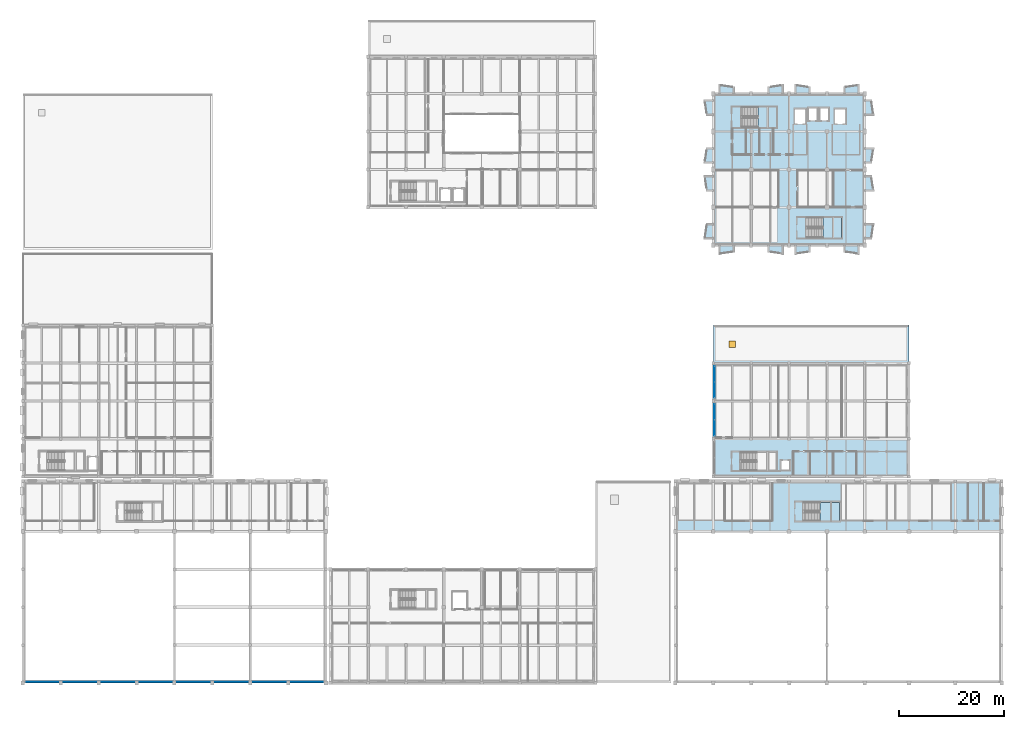
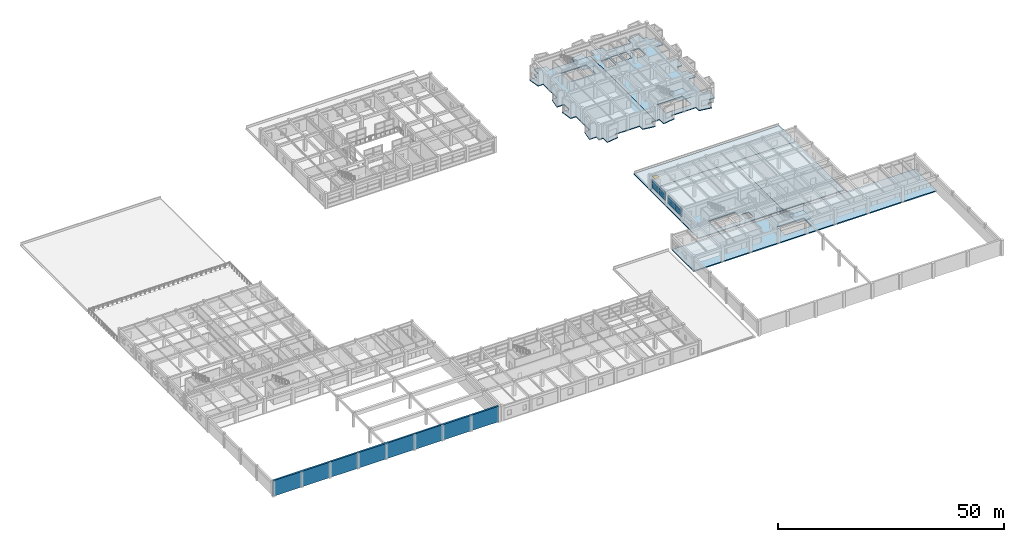
# One storey, part 43 of 67: 9 slabs, 8 plates, 1 wall, 1 window, 1 opening, 5 elements without a shape of their own.
"""IFC4 building model written with IfcOpenShell, lengths in metres."""

from ifc_helpers import new_model, si_unit, direction, frame, frame_2d, origin, origin_2d, place, context, subcontext, project, spatial, polyline, rectangle, outline, extrude, material, layer, layer_set, type_object, element, fill, aggregate, save


model = new_model("IFC4")

# Units and contexts
model_context = context("Model", 3, precision=1e-05, world=origin(), true_north=direction((0.0, 1.0)))
body_context = subcontext(model_context, "Body", "Model", "MODEL_VIEW")
ifc_project = project(units=[si_unit("LENGTHUNIT", "METRE"), si_unit("AREAUNIT", "SQUARE_METRE"), si_unit("VOLUMEUNIT", "CUBIC_METRE"), si_unit("PLANEANGLEUNIT", "RADIAN"), si_unit("MASSUNIT", "GRAM", prefix="KILO")], contexts=[model_context])

# Site, building, storey
site_placement = place(None, origin())
site = spatial("IfcSite", under=ifc_project, at=site_placement, CompositionType="ELEMENT")
building_placement = place(site_placement, origin())
building = spatial("IfcBuilding", under=site, at=building_placement, Name="Bramveld Media Centre", CompositionType="ELEMENT")
storey_placement = place(building_placement, frame((0.0, 0.0, 5.39990234375)))
storey = spatial("IfcBuildingStorey", under=building, at=storey_placement, Name="L01", CompositionType="ELEMENT", Elevation=5.39990234375)

# Curtain wall, plates
ifc_material_1 = material(Name="Thermally broken anodized bronze aluminium unitized curtain wall with solar-control triple glazing", Category="aluminium")
curtain_wall_type = type_object("IfcCurtainWallType", Name="CW-FACV4-6100x2350", PredefinedType="NOTDEFINED", material=ifc_material_1)
curtain_wall_1_placement = place(storey_placement, origin())
curtain_wall_1 = element("IfcCurtainWall", 1, at=curtain_wall_1_placement, inside=storey, type_object=curtain_wall_type, Name="V4 L01 W curtain wall bay 2", PredefinedType="NOTDEFINED")
ifc_material_2 = material(Name="Solar-control triple insulating safety glass unit", Category="glass")
ifc_layer_1 = layer(ifc_material_2, 0.028076171875)
ifc_layer_set_1 = layer_set([ifc_layer_1], Name="Solar-control triple insulating safety glass unit")
plate_type = type_object("IfcPlateType", Name="CW-PAN-EXT", PredefinedType="CURTAIN_PANEL", material=ifc_layer_set_1)
plate_1_placement = place(storey_placement, frame((131.429931640625, 48.489990234375, 0.91015625), z_axis=(0.0, 0.0, 1.0), x_axis=(0.0, 1.0, 0.0)))
plate_1 = element("IfcPlate", 2, at=plate_1_placement, type_object=plate_type, Name="CW-FA-6123 panel 1.1", PredefinedType="CURTAIN_PANEL", context=body_context, shape_type="SweptSolid", body=[
    extrude(rectangle(XDim=2.9599609375, YDim=0.028076171875, at=origin_2d()), origin(), (0.0, 0.0, 1.0), 1.0849609375),
])
plate_2_placement = place(storey_placement, frame((131.429931640625, 48.489990234375, 2.05517578125), z_axis=(0.0, 0.0, 1.0), x_axis=(0.0, 1.0, 0.0)))
plate_2 = element("IfcPlate", 3, at=plate_2_placement, type_object=plate_type, Name="CW-FA-6123 panel 1.2", PredefinedType="CURTAIN_PANEL", context=body_context, shape_type="SweptSolid", body=[
    extrude(rectangle(XDim=2.9599609375, YDim=0.028076171875, at=origin_2d()), origin(), (0.0, 0.0, 1.0), 1.0849609375),
])
plate_3_placement = place(storey_placement, frame((131.429931640625, 51.510009765625, 0.91015625), z_axis=(0.0, 0.0, 1.0), x_axis=(0.0, 1.0, 0.0)))
plate_3 = element("IfcPlate", 4, at=plate_3_placement, type_object=plate_type, Name="CW-FA-6123 panel 2.1", PredefinedType="CURTAIN_PANEL", context=body_context, shape_type="SweptSolid", body=[
    extrude(rectangle(XDim=2.9599609375, YDim=0.028076171875, at=origin_2d()), origin(), (0.0, 0.0, 1.0), 1.0849609375),
])
plate_4_placement = place(storey_placement, frame((131.429931640625, 51.510009765625, 2.05517578125), z_axis=(0.0, 0.0, 1.0), x_axis=(0.0, 1.0, 0.0)))
plate_4 = element("IfcPlate", 5, at=plate_4_placement, type_object=plate_type, Name="CW-FA-6123 panel 2.2", PredefinedType="CURTAIN_PANEL", context=body_context, shape_type="SweptSolid", body=[
    extrude(rectangle(XDim=2.9599609375, YDim=0.028076171875, at=origin_2d()), origin(), (0.0, 0.0, 1.0), 1.0849609375),
])
aggregate(curtain_wall_1, [plate_1, plate_2, plate_3, plate_4])

curtain_wall_2_placement = place(storey_placement, origin())
curtain_wall_2 = element("IfcCurtainWall", 6, at=curtain_wall_2_placement, inside=storey, type_object=curtain_wall_type, Name="V4 L01 W curtain wall bay 3", PredefinedType="NOTDEFINED")
plate_5_placement = place(storey_placement, frame((131.429931640625, 55.68994140625, 0.91015625), z_axis=(0.0, 0.0, 1.0), x_axis=(0.0, 1.0, 0.0)))
plate_5 = element("IfcPlate", 7, at=plate_5_placement, type_object=plate_type, Name="CW-FA-6123 panel 1.1", PredefinedType="CURTAIN_PANEL", context=body_context, shape_type="SweptSolid", body=[
    extrude(rectangle(XDim=2.9599609375, YDim=0.028076171875, at=origin_2d()), origin(), (0.0, 0.0, 1.0), 1.0849609375),
])
plate_6_placement = place(storey_placement, frame((131.429931640625, 55.68994140625, 2.05517578125), z_axis=(0.0, 0.0, 1.0), x_axis=(0.0, 1.0, 0.0)))
plate_6 = element("IfcPlate", 8, at=plate_6_placement, type_object=plate_type, Name="CW-FA-6123 panel 1.2", PredefinedType="CURTAIN_PANEL", context=body_context, shape_type="SweptSolid", body=[
    extrude(rectangle(XDim=2.9599609375, YDim=0.028076171875, at=origin_2d()), origin(), (0.0, 0.0, 1.0), 1.0849609375),
])
plate_7_placement = place(storey_placement, frame((131.429931640625, 58.7099609375, 0.91015625), z_axis=(0.0, 0.0, 1.0), x_axis=(0.0, 1.0, 0.0)))
plate_7 = element("IfcPlate", 9, at=plate_7_placement, type_object=plate_type, Name="CW-FA-6123 panel 2.1", PredefinedType="CURTAIN_PANEL", context=body_context, shape_type="SweptSolid", body=[
    extrude(rectangle(XDim=2.9599609375, YDim=0.028076171875, at=origin_2d()), origin(), (0.0, 0.0, 1.0), 1.0849609375),
])
plate_8_placement = place(storey_placement, frame((131.429931640625, 58.7099609375, 2.05517578125), z_axis=(0.0, 0.0, 1.0), x_axis=(0.0, 1.0, 0.0)))
plate_8 = element("IfcPlate", 10, at=plate_8_placement, type_object=plate_type, Name="CW-FA-6123 panel 2.2", PredefinedType="CURTAIN_PANEL", context=body_context, shape_type="SweptSolid", body=[
    extrude(rectangle(XDim=2.9599609375, YDim=0.028076171875, at=origin_2d()), origin(), (0.0, 0.0, 1.0), 1.0849609375),
])
aggregate(curtain_wall_2, [plate_5, plate_6, plate_7, plate_8])

# Slab, opening, window
ifc_material_3 = material(Name="Concrete C40/50", Category="concrete")
ifc_layer_2 = layer(ifc_material_3, 0.238037109375)
ifc_layer_set_2 = layer_set([ifc_layer_2], Name="Concrete C40/50")
slab_type_1 = type_object("IfcSlabType", Name="ROOF-SLAB-238-04", PredefinedType="ROOF", material=ifc_layer_set_2)
slab_1_placement = place(storey_placement, frame((0.0, 0.0, -0.23779296875)))
slab_1 = element("IfcSlab", 11, at=slab_1_placement, inside=storey, type_object=slab_type_1, Name="V4 L01 flat roof slab", PredefinedType="ROOF", context=body_context, shape_type="SweptSolid", body=[
    extrude(outline(polyline([(131.199951171875, 60.800048828125), (168.39990234375, 60.800048828125), (168.39990234375, 68.0), (131.199951171875, 68.0), (131.199951171875, 60.800048828125)])), origin(), (0.0, 0.0, 1.0), 0.23779296875),
])
opening_placement = place(slab_1_placement, frame((134.800048828125, 64.39990234375, 0.0)))
opening = element("IfcOpeningElement", 12, at=opening_placement, cuts=slab_1, Name="Opening SK-01", PredefinedType="OPENING", context=body_context, shape_type="SweptSolid", body=[
    extrude(rectangle(XDim=1.199951171875, YDim=1.199951171875, at=origin_2d()), origin(), (0.0, 0.0, 1.0), 0.23779296875),
])
ifc_material_4 = material(Name="Insulated aluminium smoke-ventilation & maintenance roof skylight hatch", Category="aluminium")
window_type = type_object("IfcWindowType", Name="SKY-HATCH-01", PartitioningType="SINGLE_PANEL", PredefinedType="SKYLIGHT", material=ifc_material_4)
window_placement = place(opening_placement, frame((0.0, 0.0, 0.187744140625)))
window = element("IfcWindow", 13, at=window_placement, inside=storey, type_object=window_type, Name="Roof maintenance & smoke-vent skylight hatch 3", OverallHeight=1.199951171875, OverallWidth=1.199951171875, PartitioningType="SINGLE_PANEL", PredefinedType="SKYLIGHT", context=body_context, shape_type="SweptSolid", body=[
    extrude(rectangle(XDim=1.199951171875, YDim=1.199951171875, at=origin_2d()), origin(), (0.0, 0.0, 1.0), 0.050048828125),
])
fill(opening, window)

# Slabs
ifc_material_5 = material(Name="Concrete C40/50", Category="concrete")
ifc_layer_3 = layer(ifc_material_5, 0.239990234375)
ifc_layer_set_3 = layer_set([ifc_layer_3], Name="Concrete C40/50")
slab_type_2 = type_object("IfcSlabType", Name="SLAB-FLOOR-INT-240", PredefinedType="FLOOR", material=ifc_layer_set_3)
slab_2_placement = place(storey_placement, frame((0.0, 0.0, -0.239990234375)))
element("IfcSlab", 14, at=slab_2_placement, inside=storey, type_object=slab_type_2, Name="V4 L01 structural slab 1", PredefinedType="FLOOR", context=body_context, shape_type="SweptSolid", body=[
    extrude(outline(polyline([(131.199951171875, 60.800048828125), (152.800048828125, 60.800048828125), (152.800048828125, 39.199951171875), (131.199951171875, 39.199951171875), (131.199951171875, 60.800048828125)]), holes=[polyline([(145.800048828125, 40.39990234375), (145.800048828125, 42.39990234375), (144.0, 42.39990234375), (144.0, 40.39990234375), (145.800048828125, 40.39990234375)]), polyline([(136.39990234375, 40.39990234375), (143.199951171875, 40.39990234375), (143.199951171875, 43.85009765625), (136.39990234375, 43.85009765625), (136.39990234375, 40.39990234375)])]), origin(), (0.0, 0.0, 1.0), 0.239990234375),
])
slab_3_placement = place(storey_placement, frame((0.0, 0.0, -0.239990234375)))
element("IfcSlab", 15, at=slab_3_placement, inside=storey, type_object=slab_type_2, Name="V4 L01 structural slab 2", PredefinedType="FLOOR", context=body_context, shape_type="SweptSolid", body=[
    extrude(outline(polyline([(168.39990234375, 39.199951171875), (152.800048828125, 39.199951171875), (152.800048828125, 60.800048828125), (168.39990234375, 60.800048828125), (168.39990234375, 39.199951171875)])), origin(), (0.0, 0.0, 1.0), 0.239990234375),
])
ifc_material_6 = material(Name="Concrete C40/50", Category="concrete")
ifc_layer_4 = layer(ifc_material_6, 0.260009765625)
ifc_layer_set_4 = layer_set([ifc_layer_4], Name="Concrete C40/50")
slab_type_3 = type_object("IfcSlabType", Name="SLAB-FLOOR-INT-260", PredefinedType="FLOOR", material=ifc_layer_set_4)
slab_4_placement = place(storey_placement, frame((0.0, 0.0, -0.260009765625)))
element("IfcSlab", 16, at=slab_4_placement, inside=storey, type_object=slab_type_3, Name="V7 L01 structural slab 1", PredefinedType="FLOOR", context=body_context, shape_type="SweptSolid", body=[
    extrude(outline(polyline([(131.199951171875, 84.35009765625), (129.406982421875, 84.35009765625), (129.85009765625, 87.35009765625), (131.199951171875, 87.35009765625), (131.199951171875, 93.449951171875), (129.85009765625, 93.449951171875), (129.406982421875, 96.449951171875), (131.199951171875, 96.449951171875), (131.199951171875, 98.75), (129.406982421875, 98.75), (129.85009765625, 101.75), (131.199951171875, 101.75), (131.199951171875, 107.85009765625), (129.85009765625, 107.85009765625), (129.406982421875, 110.85009765625), (131.199951171875, 110.85009765625), (131.199951171875, 112.0), (132.25, 112.0), (132.25, 113.79296875), (135.25, 113.35009765625), (135.25, 112.0), (141.550048828125, 112.0), (141.550048828125, 113.35009765625), (144.550048828125, 113.79296875), (144.550048828125, 112.0), (145.60009765625, 112.0), (145.60009765625, 83.199951171875), (144.550048828125, 83.199951171875), (144.550048828125, 81.406982421875), (141.550048828125, 81.85009765625), (141.550048828125, 83.199951171875), (135.25, 83.199951171875), (135.25, 81.85009765625), (132.25, 81.406982421875), (132.25, 83.199951171875), (131.199951171875, 83.199951171875), (131.199951171875, 84.35009765625)]), holes=[polyline([(143.199951171875, 109.449951171875), (136.60009765625, 109.449951171875), (136.60009765625, 105.60009765625), (143.199951171875, 105.60009765625), (143.199951171875, 109.449951171875)])]), origin(), (0.0, 0.0, 1.0), 0.260009765625),
])
slab_5_placement = place(storey_placement, frame((0.0, 0.0, -0.260009765625)))
element("IfcSlab", 17, at=slab_5_placement, inside=storey, type_object=slab_type_3, Name="V7 L01 structural slab 2", PredefinedType="FLOOR", context=body_context, shape_type="SweptSolid", body=[
    extrude(outline(polyline([(146.64990234375, 113.79296875), (149.64990234375, 113.35009765625), (149.64990234375, 112.0), (155.949951171875, 112.0), (155.949951171875, 113.35009765625), (158.949951171875, 113.79296875), (158.949951171875, 112.0), (160.0, 112.0), (160.0, 110.85009765625), (161.35009765625, 110.85009765625), (161.79296875, 107.85009765625), (160.0, 107.85009765625), (160.0, 101.75), (161.79296875, 101.75), (161.35009765625, 98.75), (160.0, 98.75), (160.0, 96.449951171875), (161.35009765625, 96.449951171875), (161.79296875, 93.449951171875), (160.0, 93.449951171875), (160.0, 87.35009765625), (161.79296875, 87.35009765625), (161.35009765625, 84.35009765625), (160.0, 84.35009765625), (160.0, 83.199951171875), (158.949951171875, 83.199951171875), (158.949951171875, 81.406982421875), (155.949951171875, 81.85009765625), (155.949951171875, 83.199951171875), (149.64990234375, 83.199951171875), (149.64990234375, 81.85009765625), (146.64990234375, 81.406982421875), (146.64990234375, 83.199951171875), (145.60009765625, 83.199951171875), (145.60009765625, 112.0), (146.64990234375, 112.0), (146.64990234375, 113.79296875)]), holes=[polyline([(149.0, 88.449951171875), (149.0, 84.60009765625), (155.60009765625, 84.60009765625), (155.60009765625, 88.449951171875), (149.0, 88.449951171875)]), polyline([(146.60009765625, 109.199951171875), (146.60009765625, 106.199951171875), (148.800048828125, 106.199951171875), (148.800048828125, 109.199951171875), (146.60009765625, 109.199951171875)]), polyline([(154.199951171875, 106.199951171875), (156.39990234375, 106.199951171875), (156.39990234375, 109.199951171875), (154.199951171875, 109.199951171875), (154.199951171875, 106.199951171875)]), polyline([(149.199951171875, 109.39990234375), (149.199951171875, 106.800048828125), (151.0, 106.800048828125), (151.0, 109.39990234375), (149.199951171875, 109.39990234375)]), polyline([(151.39990234375, 109.39990234375), (151.39990234375, 106.800048828125), (153.199951171875, 106.800048828125), (153.199951171875, 109.39990234375), (151.39990234375, 109.39990234375)])]), origin(), (0.0, 0.0, 1.0), 0.260009765625),
])
ifc_material_7 = material(Name="Concrete C40/50", Category="concrete")
ifc_layer_5 = layer(ifc_material_7, 0.280029296875)
ifc_layer_set_5 = layer_set([ifc_layer_5], Name="Concrete C40/50")
slab_type_4 = type_object("IfcSlabType", Name="SLAB-FLOOR-INT-280", PredefinedType="FLOOR", material=ifc_layer_set_5)
slab_6_placement = place(storey_placement, frame((0.0, 0.0, -0.27978515625)))
element("IfcSlab", 18, at=slab_6_placement, inside=storey, type_object=slab_type_4, Name="V1 L01 structural slab 1", PredefinedType="FLOOR", context=body_context, shape_type="SweptSolid", body=[
    extrude(outline(polyline([(124.0, 38.39990234375), (186.0, 38.39990234375), (186.0, 28.800048828125), (124.0, 28.800048828125), (124.0, 38.39990234375)]), holes=[polyline([(155.199951171875, 30.800048828125), (155.199951171875, 34.35009765625), (148.449951171875, 34.35009765625), (148.449951171875, 30.800048828125), (155.199951171875, 30.800048828125)])]), origin(), (0.0, 0.0, 1.0), 0.27978515625),
])

# Stair, slab
ifc_material_8 = material(Name="Concrete C40/50", Category="concrete")
stair_type_1 = type_object("IfcStairType", Name="STAIR-ST-01-24R-1800", PredefinedType="HALF_TURN_STAIR", material=ifc_material_8)
stair_1_placement = place(storey_placement, origin())
stair_1 = element("IfcStair", 19, at=stair_1_placement, inside=storey, type_object=stair_type_1, Name="L01 Core A1 Pressurized Firefighting Stair", PredefinedType="HALF_TURN_STAIR")
ifc_material_9 = material(Name="Concrete C40/50", Category="concrete")
ifc_layer_6 = layer(ifc_material_9, 0.199951171875)
ifc_layer_set_6 = layer_set([ifc_layer_6], Name="Concrete C40/50")
slab_type_5 = type_object("IfcSlabType", Name="SLAB-STAIR-LAND-200", PredefinedType="LANDING", material=ifc_layer_set_6)
slab_7_placement = place(storey_placement, frame((0.0, 0.0, 1.900146484375)))
slab_7 = element("IfcSlab", 20, at=slab_7_placement, type_object=slab_type_5, Name="ST-01 landing 1", PredefinedType="LANDING", context=body_context, shape_type="SweptSolid", body=[
    extrude(outline(polyline([(139.679931640625, 105.60009765625), (143.199951171875, 105.60009765625), (143.199951171875, 109.449951171875), (139.679931640625, 109.449951171875), (139.679931640625, 105.60009765625)])), origin(), (0.0, 0.0, 1.0), 0.199951171875),
])
aggregate(stair_1, [slab_7])

ifc_material_10 = material(Name="Concrete C40/50", Category="concrete")
stair_type_2 = type_object("IfcStairType", Name="STAIR-ST-02-24R-1800", PredefinedType="HALF_TURN_STAIR", material=ifc_material_10)
stair_2_placement = place(storey_placement, origin())
stair_2 = element("IfcStair", 21, at=stair_2_placement, inside=storey, type_object=stair_type_2, Name="L01 Core A2 Pressurized Escape Stair", PredefinedType="HALF_TURN_STAIR")
slab_8_placement = place(storey_placement, frame((0.0, 0.0, 1.900146484375)))
slab_8 = element("IfcSlab", 22, at=slab_8_placement, type_object=slab_type_5, Name="ST-02 landing 1", PredefinedType="LANDING", context=body_context, shape_type="SweptSolid", body=[
    extrude(outline(polyline([(152.080078125, 84.60009765625), (155.60009765625, 84.60009765625), (155.60009765625, 88.449951171875), (152.080078125, 88.449951171875), (152.080078125, 84.60009765625)])), origin(), (0.0, 0.0, 1.0), 0.199951171875),
])
aggregate(stair_2, [slab_8])

ifc_material_11 = material(Name="Concrete C40/50", Category="concrete")
stair_type_3 = type_object("IfcStairType", Name="STAIR-ST-03-24R-1650", PredefinedType="HALF_TURN_STAIR", material=ifc_material_11)
stair_3_placement = place(storey_placement, origin())
stair_3 = element("IfcStair", 23, at=stair_3_placement, inside=storey, type_object=stair_type_3, Name="L01 Grand Cinema Wing Escape Stair", PredefinedType="HALF_TURN_STAIR")
slab_9_placement = place(storey_placement, frame((0.0, 0.0, 1.900146484375)))
slab_9 = element("IfcSlab", 24, at=slab_9_placement, type_object=slab_type_5, Name="ST-03 landing 1", PredefinedType="LANDING", context=body_context, shape_type="SweptSolid", body=[
    extrude(outline(polyline([(151.530029296875, 30.800048828125), (155.199951171875, 30.800048828125), (155.199951171875, 34.35009765625), (151.530029296875, 34.35009765625), (151.530029296875, 30.800048828125)])), origin(), (0.0, 0.0, 1.0), 0.199951171875),
])
aggregate(stair_3, [slab_9])

# Wall
ifc_material_12 = material(Name="Flemish red-brown clay facing brick cavity wall with concrete C35/45 inner leaf", Category="masonry")
ifc_layer_7 = layer(ifc_material_12, 0.4599609375)
ifc_layer_set_7 = layer_set([ifc_layer_7], Name="Flemish red-brown clay facing brick cavity wall with concrete C35/45 inner leaf")
wall_type = type_object("IfcWallType", Name="EW-BRK-460", PredefinedType="SOLIDWALL", material=ifc_layer_set_7)
wall_placement = place(storey_placement, frame((57.60009765625, 0.22998046875, 0.0), z_axis=(0.0, 0.0, 1.0), x_axis=(-1.0, 0.0, 0.0)))
element("IfcWall", 25, at=wall_placement, inside=storey, type_object=wall_type, Name="V2 L01 S facing brick exterior wall", PredefinedType="SOLIDWALL", context=body_context, shape_type="SweptSolid", body=[
    extrude(rectangle(XDim=57.60009765625, YDim=0.4599609375, at=frame_2d((28.800048828125, 0.0))), origin(), (0.0, 0.0, 1.0), 4.2001953125),
])

save(model, "model.ifc")
